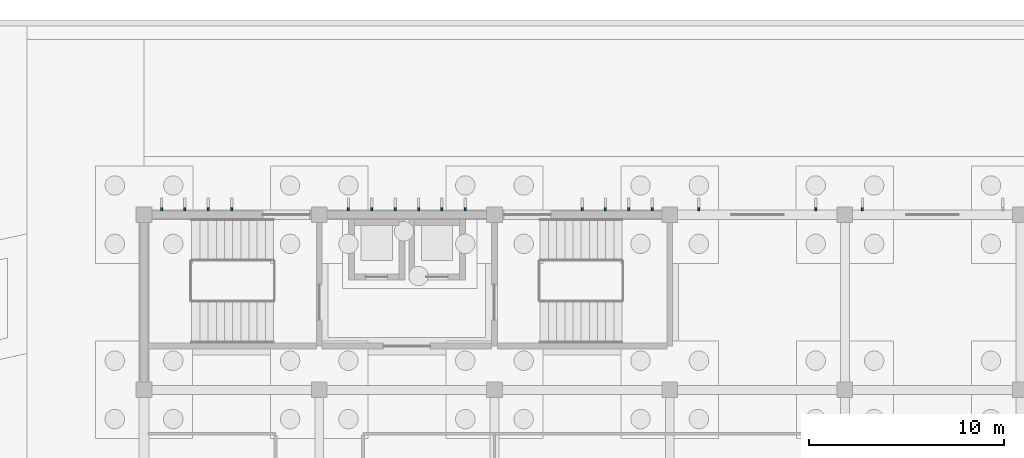
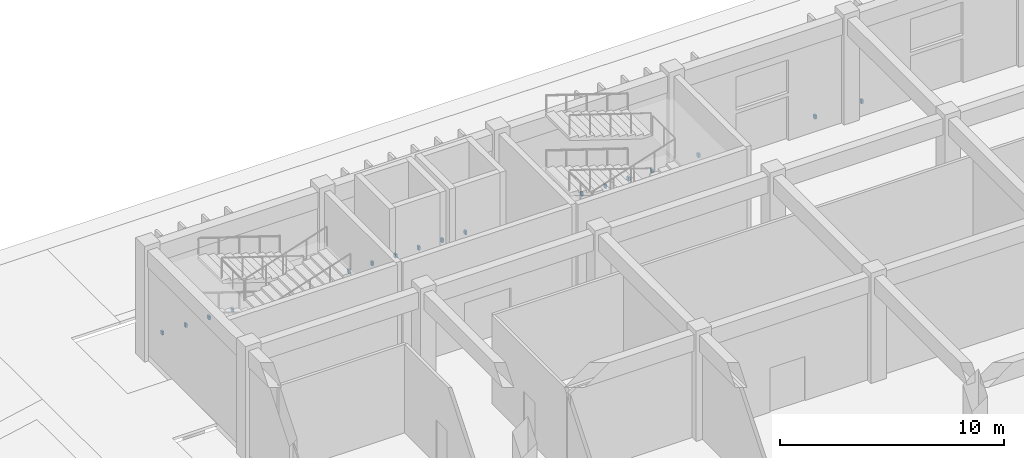
# One storey, part 133 of 198: 17 discrete accessories.
"""IFC4 building model written with IfcOpenShell, lengths in metres."""

from ifc_helpers import new_model, si_unit, direction, frame, origin, origin_2d, place, context, subcontext, project, spatial, rectangle, extrude, material, type_object, element, save


model = new_model("IFC4")

# Units and contexts
model_context = context("Model", 3, precision=1e-05, world=origin(), true_north=direction((0.0, 1.0)))
body_context = subcontext(model_context, "Body", "Model", "MODEL_VIEW")
ifc_project = project(units=[si_unit("LENGTHUNIT", "METRE"), si_unit("AREAUNIT", "SQUARE_METRE"), si_unit("VOLUMEUNIT", "CUBIC_METRE"), si_unit("PLANEANGLEUNIT", "RADIAN"), si_unit("MASSUNIT", "GRAM", prefix="KILO")], contexts=[model_context])

# Site, building, storey
site_placement = place(None, origin())
site = spatial("IfcSite", under=ifc_project, at=site_placement, CompositionType="ELEMENT")
building_placement = place(site_placement, origin())
building = spatial("IfcBuilding", under=site, at=building_placement, Name="Opaline Strait Convention Centre", CompositionType="ELEMENT")
storey_placement = place(building_placement, origin())
storey = spatial("IfcBuildingStorey", under=building, at=storey_placement, Name="L00", CompositionType="ELEMENT", Elevation=0.0)

# Discrete accessories
ifc_material = material(Name="Stainless steel 304", Category="steel")
discrete_accessory_type = type_object("IfcDiscreteAccessoryType", Name="Fin bracket 150 stainless steel", PredefinedType="BRACKET", material=ifc_material)
for number, where, z_axis, x_axis, name in (
    (1, (279.89990234375, 180.27490234375, 0.35009765625), (0.0, 0.0, 1.0), (1.0, 0.0, 0.0), "Fin bracket"),
    (2, (281.10009765625, 180.27490234375, 0.35009765625), (0.0, 0.0, 1.0), (1.0, 0.0, 0.0), "Fin bracket"),
    (3, (282.300048828125, 180.27490234375, 0.35009765625), (0.0, 0.0, 1.0), (1.0, 0.0, 0.0), "Fin bracket"),
    (4, (283.5, 180.27490234375, 0.35009765625), (0.0, 0.0, 1.0), (1.0, 0.0, 0.0), "Fin bracket"),
    (5, (289.5, 180.27490234375, 0.35009765625), (0.0, 0.0, 1.0), (1.0, 0.0, 0.0), "Fin bracket"),
    (6, (290.699951171875, 180.27490234375, 0.35009765625), (0.0, 0.0, 1.0), (1.0, 0.0, 0.0), "Fin bracket"),
    (7, (291.89990234375, 180.27490234375, 0.35009765625), (0.0, 0.0, 1.0), (1.0, 0.0, 0.0), "Fin bracket"),
    (8, (293.10009765625, 180.27490234375, 0.35009765625), (0.0, 0.0, 1.0), (1.0, 0.0, 0.0), "Fin bracket"),
    (9, (294.300048828125, 180.27490234375, 0.35009765625), (0.0, 0.0, 1.0), (1.0, 0.0, 0.0), "Fin bracket"),
    (10, (295.5, 180.27490234375, 0.35009765625), (0.0, 0.0, 1.0), (1.0, 0.0, 0.0), "Fin bracket"),
    (11, (301.5, 180.27490234375, 0.35009765625), (0.0, 0.0, 1.0), (1.0, 0.0, 0.0), "Fin bracket"),
    (12, (302.699951171875, 180.27490234375, 0.35009765625), (0.0, 0.0, 1.0), (1.0, 0.0, 0.0), "Fin bracket"),
    (13, (303.89990234375, 180.27490234375, 0.35009765625), (0.0, 0.0, 1.0), (1.0, 0.0, 0.0), "Fin bracket"),
    (14, (305.10009765625, 180.27490234375, 0.35009765625), (0.0, 0.0, 1.0), (1.0, 0.0, 0.0), "Fin bracket"),
    (15, (307.5, 180.27490234375, 0.35009765625), (0.0, 0.0, 1.0), (1.0, 0.0, 0.0), "Fin bracket"),
    (16, (313.5, 180.27490234375, 0.35009765625), (0.0, 0.0, 1.0), (1.0, 0.0, 0.0), "Fin bracket"),
    (17, (315.89990234375, 180.27490234375, 0.35009765625), (0.0, 0.0, 1.0), (1.0, 0.0, 0.0), "Fin bracket"),
):
    element("IfcDiscreteAccessory", number, at=place(storey_placement, frame(where, z_axis=z_axis, x_axis=x_axis)), inside=storey, type_object=discrete_accessory_type, Name=name, PredefinedType="BRACKET", context=body_context, shape_type="SweptSolid", body=[
        extrude(rectangle(XDim=0.10009765625, YDim=0.14990234375, at=origin_2d()), origin(), (0.0, 0.0, 1.0), 0.199951171875),
    ])

save(model, "model.ifc")
